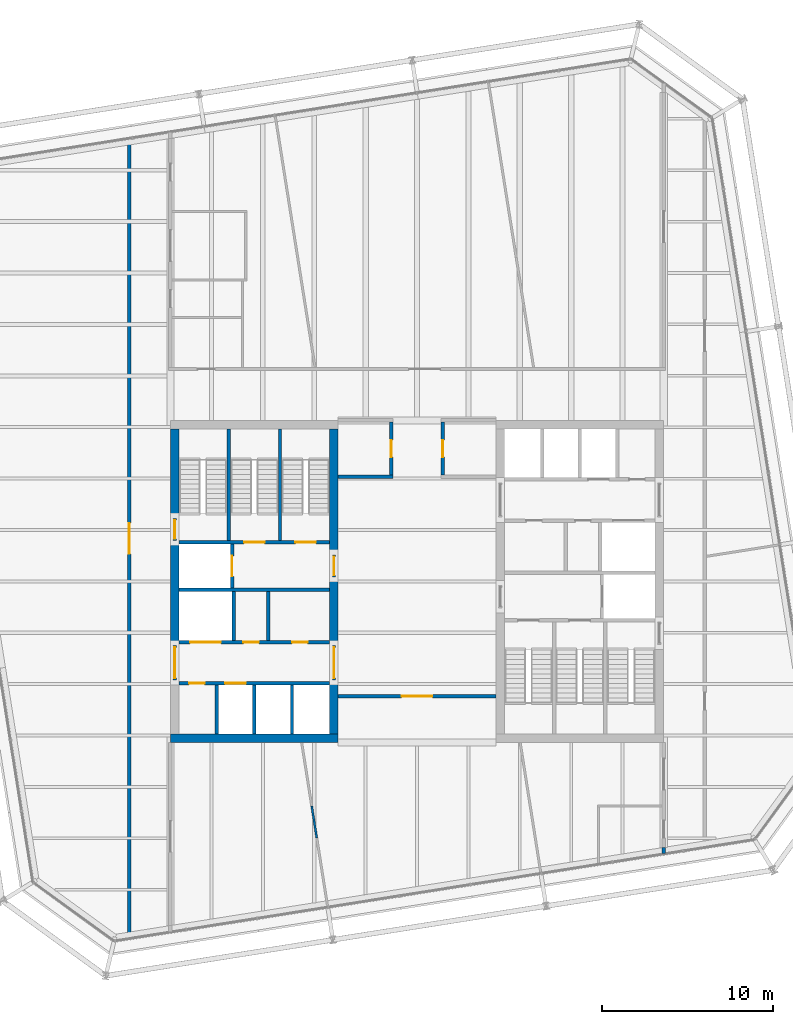
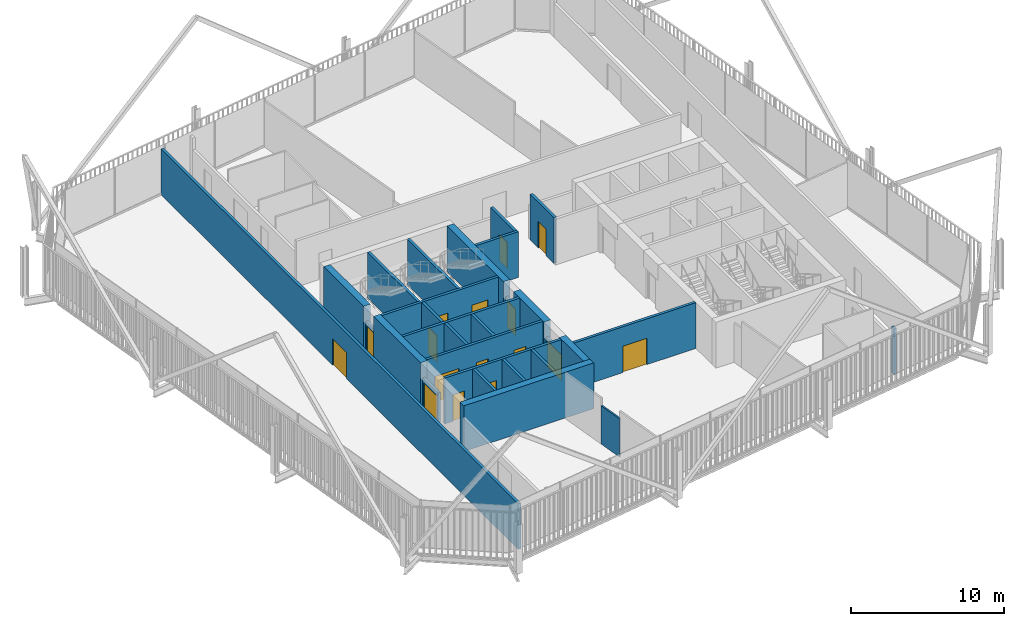
# One storey, part 17 of 21: 29 walls, 16 doors, 16 openings.
"""IFC4 building model written with IfcOpenShell, lengths in metres."""

from ifc_helpers import new_model, si_unit, direction, frame, frame_2d, origin, place, context, subcontext, project, spatial, rectangle, extrude, material, layer, layer_set, type_object, element, fill, save


model = new_model("IFC4")

# Units and contexts
model_context = context("Model", 3, precision=1e-05, world=origin(), true_north=direction((0.0, 1.0)))
body_context = subcontext(model_context, "Body", "Model", "MODEL_VIEW")
ifc_project = project(units=[si_unit("LENGTHUNIT", "METRE"), si_unit("AREAUNIT", "SQUARE_METRE"), si_unit("VOLUMEUNIT", "CUBIC_METRE"), si_unit("PLANEANGLEUNIT", "RADIAN"), si_unit("MASSUNIT", "GRAM", prefix="KILO")], contexts=[model_context])

# Site, building, storey
site_placement = place(None, origin())
site = spatial("IfcSite", under=ifc_project, at=site_placement, CompositionType="ELEMENT")
building_placement = place(site_placement, origin())
building = spatial("IfcBuilding", under=site, at=building_placement, Name="Millrace Tower", CompositionType="ELEMENT")
storey_placement = place(building_placement, frame((0.0, 0.0, 235.89990234375)))
storey = spatial("IfcBuildingStorey", under=building, at=storey_placement, Name="L54", CompositionType="ELEMENT", Elevation=235.89990234375)

# Walls
ifc_material_1 = material(Name="Concrete C60", Category="concrete")
ifc_layer_1 = layer(ifc_material_1, 0.5)
ifc_layer_set_1 = layer_set([ifc_layer_1], Name="Concrete C60")
wall_type_1 = type_object("IfcWallType", Name="Core wall 500 Concrete C60", PredefinedType="SHEAR", material=ifc_layer_set_1)
wall_1_placement = place(storey_placement, frame((-14.39990234375, -9.14990234375, 0.0), z_axis=(0.0, 0.0, 1.0), x_axis=(1.0, 0.0, 0.0)))
element("IfcWall", 1, at=wall_1_placement, inside=storey, type_object=wall_type_1, Name="Core wall W L54", PredefinedType="SHEAR", context=body_context, shape_type="SweptSolid", body=[
    extrude(rectangle(XDim=9.7998046875, YDim=0.5, at=frame_2d((4.89990234375, 0.0))), origin(), (0.0, 0.0, 1.0), 3.650146484375),
])
wall_2_placement = place(storey_placement, frame((-14.14990234375, -3.75, 0.0), z_axis=(0.0, 0.0, 1.0), x_axis=(0.0, 1.0, 0.0)))
element("IfcWall", 2, at=wall_2_placement, inside=storey, type_object=wall_type_1, Name="Core wall W L54", PredefinedType="SHEAR", context=body_context, shape_type="SweptSolid", body=[
    extrude(rectangle(XDim=6.1298828125, YDim=0.5, at=frame_2d((3.06494140625, 0.0))), origin(), (0.0, 0.0, 1.0), 3.650146484375),
])
wall_3_placement = place(storey_placement, frame((-14.14990234375, 3.679931640625, 0.0), z_axis=(0.0, 0.0, 1.0), x_axis=(0.0, 1.0, 0.0)))
element("IfcWall", 3, at=wall_3_placement, inside=storey, type_object=wall_type_1, Name="Core wall W L54", PredefinedType="SHEAR", context=body_context, shape_type="SweptSolid", body=[
    extrude(rectangle(XDim=5.219970703125, YDim=0.5, at=frame_2d((2.60986328125, 0.0))), origin(), (0.0, 0.0, 1.0), 3.650146484375),
])
wall_4_placement = place(storey_placement, frame((-4.85009765625, -8.89990234375, 0.0), z_axis=(0.0, 0.0, 1.0), x_axis=(0.0, 1.0, 0.0)))
element("IfcWall", 4, at=wall_4_placement, inside=storey, type_object=wall_type_1, Name="Core wall W L54", PredefinedType="SHEAR", context=body_context, shape_type="SweptSolid", body=[
    extrude(rectangle(XDim=3.14990234375, YDim=0.5, at=frame_2d((1.574951171875, 0.0))), origin(), (0.0, 0.0, 1.0), 3.650146484375),
])
wall_5_placement = place(storey_placement, frame((-4.85009765625, -3.75, 0.0), z_axis=(0.0, 0.0, 1.0), x_axis=(0.0, 1.0, 0.0)))
element("IfcWall", 5, at=wall_5_placement, inside=storey, type_object=wall_type_1, Name="Core wall W L54", PredefinedType="SHEAR", context=body_context, shape_type="SweptSolid", body=[
    extrude(rectangle(XDim=4.0, YDim=0.5, at=frame_2d((2.0, 0.0))), origin(), (0.0, 0.0, 1.0), 3.650146484375),
])
wall_6_placement = place(storey_placement, frame((-4.85009765625, 1.550048828125, 0.0), z_axis=(0.0, 0.0, 1.0), x_axis=(0.0, 1.0, 0.0)))
element("IfcWall", 6, at=wall_6_placement, inside=storey, type_object=wall_type_1, Name="Core wall W L54", PredefinedType="SHEAR", context=body_context, shape_type="SweptSolid", body=[
    extrude(rectangle(XDim=7.349853515625, YDim=0.5, at=frame_2d((3.6748046875, 0.0))), origin(), (0.0, 0.0, 1.0), 3.650146484375),
])

# Wall, opening, door
ifc_material_2 = material(Name="Masonry partition, fire-rated", Category="masonry")
ifc_layer_2 = layer(ifc_material_2, 0.199951171875)
ifc_layer_set_2 = layer_set([ifc_layer_2], Name="Masonry partition, fire-rated")
wall_type_2 = type_object("IfcWallType", Name="Corridor wall 200", PredefinedType="PARTITIONING", material=ifc_layer_set_2)
wall_7_placement = place(storey_placement, frame((-4.60009765625, -6.699951171875, 0.0), z_axis=(0.0, 0.0, 1.0), x_axis=(1.0, 0.0, 0.0)))
wall_7 = element("IfcWall", 7, at=wall_7_placement, inside=storey, type_object=wall_type_2, Name="Corridor wall L54", PredefinedType="PARTITIONING", context=body_context, shape_type="SweptSolid", body=[
    extrude(rectangle(XDim=9.2001953125, YDim=0.199951171875, at=frame_2d((4.60009765625, 0.0))), origin(), (0.0, 0.0, 1.0), 3.650146484375),
])
opening_1_placement = place(wall_7_placement, frame((3.699951171875, 0.0, 0.0)))
opening_1 = element("IfcOpeningElement", 8, at=opening_1_placement, cuts=wall_7, Name="Opening 54-P013", PredefinedType="OPENING", context=body_context, shape_type="SweptSolid", body=[
    extrude(rectangle(XDim=1.800048828125, YDim=2.10009765625, at=frame_2d((0.89990234375, 1.050048828125))), frame((0.0, 0.10986328125, 0.0), z_axis=(0.0, -1.0, 0.0), x_axis=(1.0, 0.0, 0.0)), (0.0, 0.0, 1.0), 0.219970703125),
])
ifc_material_3 = material(Name="Steel door set, fire-rated", Category="steel")
door_type_1 = type_object("IfcDoorType", Name="Corridor door 1800 x 2100", OperationType="DOUBLE_DOOR_SINGLE_SWING", PredefinedType="DOOR", material=ifc_material_3)
door_1_placement = place(opening_1_placement, frame((1.800048828125, 0.0, 0.0), z_axis=(0.0, 0.0, 1.0), x_axis=(-1.0, 0.0, 0.0)))
door_1 = element("IfcDoor", 9, at=door_1_placement, inside=storey, type_object=door_type_1, Name="Door 54-P013", OperationType="DOUBLE_DOOR_SINGLE_SWING", OverallHeight=2.10009765625, OverallWidth=1.800048828125, PredefinedType="DOOR", context=body_context, shape_type="SweptSolid", body=[
    extrude(rectangle(XDim=1.800048828125, YDim=2.10009765625, at=frame_2d((0.89990234375, 1.050048828125))), frame((0.0, 0.02490234375, 0.0), z_axis=(0.0, -1.0, 0.0), x_axis=(1.0, 0.0, 0.0)), (0.0, 0.0, 1.0), 0.050048828125),
])
fill(opening_1, door_1)

# Walls
wall_8_placement = place(storey_placement, frame((-4.60009765625, 6.10009765625, 0.0), z_axis=(0.0, 0.0, 1.0), x_axis=(1.0, 0.0, 0.0)))
element("IfcWall", 10, at=wall_8_placement, inside=storey, type_object=wall_type_2, Name="Corridor wall L54", PredefinedType="PARTITIONING", context=body_context, shape_type="SweptSolid", body=[
    extrude(rectangle(XDim=3.2001953125, YDim=0.199951171875, at=frame_2d((1.60009765625, 0.0))), origin(), (0.0, 0.0, 1.0), 3.650146484375),
])
wall_9_placement = place(storey_placement, frame((14.39990234375, -15.87451171875, 0.0), z_axis=(0.0, 0.0, 1.0), x_axis=(0.0, 1.0, 0.0)))
element("IfcWall", 11, at=wall_9_placement, inside=storey, type_object=wall_type_2, Name="Corridor wall L54", PredefinedType="PARTITIONING", context=body_context, shape_type="SweptSolid", body=[
    extrude(rectangle(XDim=0.349609375, YDim=0.199951171875, at=frame_2d((0.1748046875, 0.0))), origin(), (0.0, 0.0, 1.0), 3.650146484375),
])

# Wall, opening, door
wall_10_placement = place(storey_placement, frame((1.5, 6.199951171875, 0.0), z_axis=(0.0, 0.0, 1.0), x_axis=(0.0, 1.0, 0.0)))
wall_10 = element("IfcWall", 12, at=wall_10_placement, inside=storey, type_object=wall_type_2, Name="Corridor wall L54", PredefinedType="PARTITIONING", context=body_context, shape_type="SweptSolid", body=[
    extrude(rectangle(XDim=3.10009765625, YDim=0.199951171875, at=frame_2d((1.550048828125, 0.0))), origin(), (0.0, 0.0, 1.0), 3.650146484375),
])
opening_2_placement = place(wall_10_placement, frame((1.050048828125, 0.0, 0.0)))
opening_2 = element("IfcOpeningElement", 13, at=opening_2_placement, cuts=wall_10, Name="Opening 54-P002", PredefinedType="OPENING", context=body_context, shape_type="SweptSolid", body=[
    extrude(rectangle(XDim=1.0, YDim=2.10009765625, at=frame_2d((0.5, 1.050048828125))), frame((0.0, 0.10986328125, 0.0), z_axis=(0.0, -1.0, 0.0), x_axis=(1.0, 0.0, 0.0)), (0.0, 0.0, 1.0), 0.219970703125),
])
ifc_material_4 = material(Name="Steel door set, fire-rated", Category="steel")
door_type_2 = type_object("IfcDoorType", Name="Corridor door 1000 x 2100", OperationType="SINGLE_SWING_LEFT", PredefinedType="DOOR", material=ifc_material_4)
door_2_placement = place(opening_2_placement, frame((1.0, 0.0, 0.0), z_axis=(0.0, 0.0, 1.0), x_axis=(-1.0, 0.0, 0.0)))
door_2 = element("IfcDoor", 14, at=door_2_placement, inside=storey, type_object=door_type_2, Name="Door 54-P002", OperationType="SINGLE_SWING_RIGHT", OverallHeight=2.10009765625, OverallWidth=1.0, PredefinedType="DOOR", context=body_context, shape_type="SweptSolid", body=[
    extrude(rectangle(XDim=1.0, YDim=2.10009765625, at=frame_2d((0.5, 1.050048828125))), frame((0.0, 0.02490234375, 0.0), z_axis=(0.0, -1.0, 0.0), x_axis=(1.0, 0.0, 0.0)), (0.0, 0.0, 1.0), 0.050048828125),
])
fill(opening_2, door_2)

wall_11_placement = place(storey_placement, frame((-1.5, 6.199951171875, 0.0), z_axis=(0.0, 0.0, 1.0), x_axis=(0.0, 1.0, 0.0)))
wall_11 = element("IfcWall", 15, at=wall_11_placement, inside=storey, type_object=wall_type_2, Name="Corridor wall L54", PredefinedType="PARTITIONING", context=body_context, shape_type="SweptSolid", body=[
    extrude(rectangle(XDim=3.10009765625, YDim=0.199951171875, at=frame_2d((1.550048828125, 0.0))), origin(), (0.0, 0.0, 1.0), 3.650146484375),
])
opening_3_placement = place(wall_11_placement, frame((1.050048828125, 0.0, 0.0)))
opening_3 = element("IfcOpeningElement", 16, at=opening_3_placement, cuts=wall_11, Name="Opening 54-P001", PredefinedType="OPENING", context=body_context, shape_type="SweptSolid", body=[
    extrude(rectangle(XDim=1.0, YDim=2.10009765625, at=frame_2d((0.5, 1.050048828125))), frame((0.0, 0.10986328125, 0.0), z_axis=(0.0, -1.0, 0.0), x_axis=(1.0, 0.0, 0.0)), (0.0, 0.0, 1.0), 0.219970703125),
])
door_3_placement = place(opening_3_placement, origin())
door_3 = element("IfcDoor", 17, at=door_3_placement, inside=storey, type_object=door_type_2, Name="Door 54-P001", OperationType="SINGLE_SWING_LEFT", OverallHeight=2.10009765625, OverallWidth=1.0, PredefinedType="DOOR", context=body_context, shape_type="SweptSolid", body=[
    extrude(rectangle(XDim=1.0, YDim=2.10009765625, at=frame_2d((0.5, 1.050048828125))), frame((0.0, 0.02490234375, 0.0), z_axis=(0.0, -1.0, 0.0), x_axis=(1.0, 0.0, 0.0)), (0.0, 0.0, 1.0), 0.050048828125),
])
fill(opening_3, door_3)

wall_12_placement = place(storey_placement, frame((-16.800048828125, -20.816162109375, 0.0), z_axis=(0.0, 0.0, 1.0), x_axis=(0.0, 1.0, 0.0)))
wall_12 = element("IfcWall", 18, at=wall_12_placement, inside=storey, type_object=wall_type_2, Name="Corridor wall L54", PredefinedType="PARTITIONING", context=body_context, shape_type="SweptSolid", body=[
    extrude(rectangle(XDim=46.63427734375, YDim=0.199951171875, at=frame_2d((23.317138671875, 0.0))), origin(), (0.0, 0.0, 1.0), 3.650146484375),
])
opening_4_placement = place(wall_12_placement, frame((22.416748046875, 0.0, 0.0)))
opening_4 = element("IfcOpeningElement", 19, at=opening_4_placement, cuts=wall_12, Name="Opening 54-P003", PredefinedType="OPENING", context=body_context, shape_type="SweptSolid", body=[
    extrude(rectangle(XDim=1.800048828125, YDim=2.10009765625, at=frame_2d((0.89990234375, 1.050048828125))), frame((0.0, 0.10986328125, 0.0), z_axis=(0.0, -1.0, 0.0), x_axis=(1.0, 0.0, 0.0)), (0.0, 0.0, 1.0), 0.219970703125),
])
door_4_placement = place(opening_4_placement, frame((1.800048828125, 0.0, 0.0), z_axis=(0.0, 0.0, 1.0), x_axis=(-1.0, 0.0, 0.0)))
door_4 = element("IfcDoor", 20, at=door_4_placement, inside=storey, type_object=door_type_1, Name="Door 54-P003", OperationType="DOUBLE_DOOR_SINGLE_SWING", OverallHeight=2.10009765625, OverallWidth=1.800048828125, PredefinedType="DOOR", context=body_context, shape_type="SweptSolid", body=[
    extrude(rectangle(XDim=1.800048828125, YDim=2.10009765625, at=frame_2d((0.89990234375, 1.050048828125))), frame((0.0, 0.02490234375, 0.0), z_axis=(0.0, -1.0, 0.0), x_axis=(1.0, 0.0, 0.0)), (0.0, 0.0, 1.0), 0.050048828125),
])
fill(opening_4, door_4)

# Wall, openings, doors
ifc_material_5 = material(Name="Masonry partition, fire-rated", Category="masonry")
ifc_layer_3 = layer(ifc_material_5, 0.199951171875)
ifc_layer_set_3 = layer_set([ifc_layer_3], Name="Masonry partition, fire-rated")
wall_type_3 = type_object("IfcWallType", Name="Lift shaft wall 200", PredefinedType="PARTITIONING", material=ifc_layer_set_3)
wall_13_placement = place(storey_placement, frame((-13.89990234375, -5.949951171875, 0.0), z_axis=(0.0, 0.0, 1.0), x_axis=(1.0, 0.0, 0.0)))
wall_13 = element("IfcWall", 21, at=wall_13_placement, inside=storey, type_object=wall_type_3, Name="Lift shaft wall W L54", PredefinedType="PARTITIONING", context=body_context, shape_type="SweptSolid", body=[
    extrude(rectangle(XDim=8.7998046875, YDim=0.199951171875, at=frame_2d((4.39990234375, 0.0))), origin(), (0.0, 0.0, 1.0), 3.650146484375),
])
opening_5_placement = place(wall_13_placement, frame((2.699951171875, 0.0, 0.0)))
opening_5 = element("IfcOpeningElement", 22, at=opening_5_placement, cuts=wall_13, Name="Opening 54-LD02", PredefinedType="OPENING", context=body_context, shape_type="SweptSolid", body=[
    extrude(rectangle(XDim=1.199951171875, YDim=2.10009765625, at=frame_2d((0.60009765625, 1.050048828125))), frame((0.0, 0.10986328125, 0.0), z_axis=(0.0, -1.0, 0.0), x_axis=(1.0, 0.0, 0.0)), (0.0, 0.0, 1.0), 0.219970703125),
])
opening_6_placement = place(wall_13_placement, frame((0.60009765625, 0.0, 0.0)))
opening_6 = element("IfcOpeningElement", 23, at=opening_6_placement, cuts=wall_13, Name="Opening 54-C005", PredefinedType="OPENING", context=body_context, shape_type="SweptSolid", body=[
    extrude(rectangle(XDim=0.89990234375, YDim=2.10009765625, at=frame_2d((0.449951171875, 1.050048828125))), frame((0.0, 0.10986328125, 0.0), z_axis=(0.0, -1.0, 0.0), x_axis=(1.0, 0.0, 0.0)), (0.0, 0.0, 1.0), 0.219970703125),
])
ifc_material_6 = material(Name="Stainless steel, fire-rated", Category="steel")
door_type_3 = type_object("IfcDoorType", Name="Lift landing door 1200 x 2100", OperationType="DOUBLE_DOOR_SLIDING", PredefinedType="DOOR", material=ifc_material_6)
door_5_placement = place(opening_5_placement, origin())
door_5 = element("IfcDoor", 24, at=door_5_placement, inside=storey, type_object=door_type_3, Name="Lift landing door LF2 L54", OperationType="DOUBLE_DOOR_SLIDING", OverallHeight=2.10009765625, OverallWidth=1.199951171875, PredefinedType="DOOR", context=body_context, shape_type="SweptSolid", body=[
    extrude(rectangle(XDim=1.199951171875, YDim=2.10009765625, at=frame_2d((0.60009765625, 1.050048828125))), frame((0.0, 0.02490234375, 0.0), z_axis=(0.0, -1.0, 0.0), x_axis=(1.0, 0.0, 0.0)), (0.0, 0.0, 1.0), 0.050048828125),
])
fill(opening_5, door_5)
ifc_material_7 = material(Name="Steel door, fire-rated", Category="steel")
door_type_4 = type_object("IfcDoorType", Name="Service room door 900 x 2100", OperationType="SINGLE_SWING_LEFT", PredefinedType="DOOR", material=ifc_material_7)
door_6_placement = place(opening_6_placement, frame((0.89990234375, 0.0, 0.0), z_axis=(0.0, 0.0, 1.0), x_axis=(-1.0, 0.0, 0.0)))
door_6 = element("IfcDoor", 25, at=door_6_placement, inside=storey, type_object=door_type_4, Name="Service room door 54-C005", OperationType="SINGLE_SWING_RIGHT", OverallHeight=2.10009765625, OverallWidth=0.89990234375, PredefinedType="DOOR", context=body_context, shape_type="SweptSolid", body=[
    extrude(rectangle(XDim=0.89990234375, YDim=2.10009765625, at=frame_2d((0.449951171875, 1.050048828125))), frame((0.0, 0.02490234375, 0.0), z_axis=(0.0, -1.0, 0.0), x_axis=(1.0, 0.0, 0.0)), (0.0, 0.0, 1.0), 0.050048828125),
])
fill(opening_6, door_6)

wall_14_placement = place(storey_placement, frame((-13.89990234375, -3.550048828125, 0.0), z_axis=(0.0, 0.0, 1.0), x_axis=(1.0, 0.0, 0.0)))
wall_14 = element("IfcWall", 26, at=wall_14_placement, inside=storey, type_object=wall_type_3, Name="Lift shaft wall W L54", PredefinedType="PARTITIONING", context=body_context, shape_type="SweptSolid", body=[
    extrude(rectangle(XDim=8.7998046875, YDim=0.199951171875, at=frame_2d((4.39990234375, 0.0))), origin(), (0.0, 0.0, 1.0), 3.650146484375),
])
opening_7_placement = place(wall_14_placement, frame((0.64990234375, 0.0, 0.0)))
opening_7 = element("IfcOpeningElement", 27, at=opening_7_placement, cuts=wall_14, Name="Opening 54-LD05", PredefinedType="OPENING", context=body_context, shape_type="SweptSolid", body=[
    extrude(rectangle(XDim=1.800048828125, YDim=2.10009765625, at=frame_2d((0.89990234375, 1.050048828125))), frame((0.0, 0.10986328125, 0.0), z_axis=(0.0, -1.0, 0.0), x_axis=(1.0, 0.0, 0.0)), (0.0, 0.0, 1.0), 0.219970703125),
])
opening_8_placement = place(wall_14_placement, frame((3.762451171875, 0.0, 0.0)))
opening_8 = element("IfcOpeningElement", 28, at=opening_8_placement, cuts=wall_14, Name="Opening 54-C006", PredefinedType="OPENING", context=body_context, shape_type="SweptSolid", body=[
    extrude(rectangle(XDim=0.89990234375, YDim=2.10009765625, at=frame_2d((0.449951171875, 1.050048828125))), frame((0.0, 0.10986328125, 0.0), z_axis=(0.0, -1.0, 0.0), x_axis=(1.0, 0.0, 0.0)), (0.0, 0.0, 1.0), 0.219970703125),
])
opening_9_placement = place(wall_14_placement, frame((6.612548828125, 0.0, 0.0)))
opening_9 = element("IfcOpeningElement", 29, at=opening_9_placement, cuts=wall_14, Name="Opening 54-C007", PredefinedType="OPENING", context=body_context, shape_type="SweptSolid", body=[
    extrude(rectangle(XDim=0.89990234375, YDim=2.10009765625, at=frame_2d((0.449951171875, 1.050048828125))), frame((0.0, 0.10986328125, 0.0), z_axis=(0.0, -1.0, 0.0), x_axis=(1.0, 0.0, 0.0)), (0.0, 0.0, 1.0), 0.219970703125),
])
ifc_material_8 = material(Name="Stainless steel, fire-rated", Category="steel")
door_type_5 = type_object("IfcDoorType", Name="Lift landing door 1800 x 2100", OperationType="DOUBLE_DOOR_SLIDING", PredefinedType="DOOR", material=ifc_material_8)
door_7_placement = place(opening_7_placement, origin())
door_7 = element("IfcDoor", 30, at=door_7_placement, inside=storey, type_object=door_type_5, Name="Lift landing door LF5 L54", OperationType="DOUBLE_DOOR_SLIDING", OverallHeight=2.10009765625, OverallWidth=1.800048828125, PredefinedType="DOOR", context=body_context, shape_type="SweptSolid", body=[
    extrude(rectangle(XDim=1.800048828125, YDim=2.10009765625, at=frame_2d((0.89990234375, 1.050048828125))), frame((0.0, 0.02490234375, 0.0), z_axis=(0.0, -1.0, 0.0), x_axis=(1.0, 0.0, 0.0)), (0.0, 0.0, 1.0), 0.050048828125),
])
fill(opening_7, door_7)
door_8_placement = place(opening_8_placement, origin())
door_8 = element("IfcDoor", 31, at=door_8_placement, inside=storey, type_object=door_type_4, Name="Service room door 54-C006", OperationType="SINGLE_SWING_LEFT", OverallHeight=2.10009765625, OverallWidth=0.89990234375, PredefinedType="DOOR", context=body_context, shape_type="SweptSolid", body=[
    extrude(rectangle(XDim=0.89990234375, YDim=2.10009765625, at=frame_2d((0.449951171875, 1.050048828125))), frame((0.0, 0.02490234375, 0.0), z_axis=(0.0, -1.0, 0.0), x_axis=(1.0, 0.0, 0.0)), (0.0, 0.0, 1.0), 0.050048828125),
])
fill(opening_8, door_8)
door_9_placement = place(opening_9_placement, origin())
door_9 = element("IfcDoor", 32, at=door_9_placement, inside=storey, type_object=door_type_4, Name="Service room door 54-C007", OperationType="SINGLE_SWING_RIGHT", OverallHeight=2.10009765625, OverallWidth=0.89990234375, PredefinedType="DOOR", context=body_context, shape_type="SweptSolid", body=[
    extrude(rectangle(XDim=0.89990234375, YDim=2.10009765625, at=frame_2d((0.449951171875, 1.050048828125))), frame((0.0, 0.02490234375, 0.0), z_axis=(0.0, -1.0, 0.0), x_axis=(1.0, 0.0, 0.0)), (0.0, 0.0, 1.0), 0.050048828125),
])
fill(opening_9, door_9)

# Wall
wall_15_placement = place(storey_placement, frame((-13.89990234375, -0.5, 0.0), z_axis=(0.0, 0.0, 1.0), x_axis=(1.0, 0.0, 0.0)))
element("IfcWall", 33, at=wall_15_placement, inside=storey, type_object=wall_type_3, Name="Lift shaft wall W L54", PredefinedType="PARTITIONING", context=body_context, shape_type="SweptSolid", body=[
    extrude(rectangle(XDim=8.7998046875, YDim=0.199951171875, at=frame_2d((4.39990234375, 0.0))), origin(), (0.0, 0.0, 1.0), 3.650146484375),
])

# Wall, opening, door
wall_16_placement = place(storey_placement, frame((-10.800048828125, -0.39990234375, 0.0), z_axis=(0.0, 0.0, 1.0), x_axis=(0.0, 1.0, 0.0)))
wall_16 = element("IfcWall", 34, at=wall_16_placement, inside=storey, type_object=wall_type_3, Name="Lift shaft wall W L54", PredefinedType="PARTITIONING", context=body_context, shape_type="SweptSolid", body=[
    extrude(rectangle(XDim=2.579833984375, YDim=0.199951171875, at=frame_2d((1.2900390625, 0.0))), origin(), (0.0, 0.0, 1.0), 3.650146484375),
])
opening_10_placement = place(wall_16_placement, frame((0.68994140625, 0.0, 0.0)))
opening_10 = element("IfcOpeningElement", 35, at=opening_10_placement, cuts=wall_16, Name="Opening 54-LD08", PredefinedType="OPENING", context=body_context, shape_type="SweptSolid", body=[
    extrude(rectangle(XDim=1.199951171875, YDim=2.10009765625, at=frame_2d((0.60009765625, 1.050048828125))), frame((0.0, 0.10986328125, 0.0), z_axis=(0.0, -1.0, 0.0), x_axis=(1.0, 0.0, 0.0)), (0.0, 0.0, 1.0), 0.219970703125),
])
door_10_placement = place(opening_10_placement, origin())
door_10 = element("IfcDoor", 36, at=door_10_placement, inside=storey, type_object=door_type_3, Name="Lift landing door LF8 L54", OperationType="DOUBLE_DOOR_SLIDING", OverallHeight=2.10009765625, OverallWidth=1.199951171875, PredefinedType="DOOR", context=body_context, shape_type="SweptSolid", body=[
    extrude(rectangle(XDim=1.199951171875, YDim=2.10009765625, at=frame_2d((0.60009765625, 1.050048828125))), frame((0.0, 0.02490234375, 0.0), z_axis=(0.0, -1.0, 0.0), x_axis=(1.0, 0.0, 0.0)), (0.0, 0.0, 1.0), 0.050048828125),
])
fill(opening_10, door_10)

# Walls
for number, where, z_axis, x_axis, name in (
    (37, (-11.699951171875, -8.89990234375, 0.0), (0.0, 0.0, 1.0), (0.0, 1.0, 0.0), "Lift shaft wall W L54"),
    (38, (-9.5, -8.89990234375, 0.0), (0.0, 0.0, 1.0), (0.0, 1.0, 0.0), "Lift shaft wall W L54"),
    (39, (-7.300048828125, -8.89990234375, 0.0), (0.0, 0.0, 1.0), (0.0, 1.0, 0.0), "Lift shaft wall W L54"),
    (40, (-10.699951171875, -3.449951171875, 0.0), (0.0, 0.0, 1.0), (0.0, 1.0, 0.0), "Lift shaft wall W L54"),
):
    element("IfcWall", number, at=place(storey_placement, frame(where, z_axis=z_axis, x_axis=x_axis)), inside=storey, type_object=wall_type_3, Name=name, PredefinedType="PARTITIONING", context=body_context, shape_type="SweptSolid", body=[
        extrude(rectangle(XDim=2.849853515625, YDim=0.199951171875, at=frame_2d((1.4248046875, 0.0))), origin(), (0.0, 0.0, 1.0), 3.650146484375),
    ])

# Wall, opening, door
ifc_material_9 = material(Name="Masonry partition, fire-rated", Category="masonry")
ifc_layer_4 = layer(ifc_material_9, 0.199951171875)
ifc_layer_set_4 = layer_set([ifc_layer_4], Name="Masonry partition, fire-rated")
wall_type_4 = type_object("IfcWallType", Name="Lobby wall 200", PredefinedType="PARTITIONING", material=ifc_layer_set_4)
wall_17_placement = place(storey_placement, frame((-14.14990234375, -5.75, 0.0), z_axis=(0.0, 0.0, 1.0), x_axis=(0.0, 1.0, 0.0)))
wall_17 = element("IfcWall", 41, at=wall_17_placement, inside=storey, type_object=wall_type_4, Name="Lobby wall W L54", PredefinedType="PARTITIONING", context=body_context, shape_type="SweptSolid", body=[
    extrude(rectangle(XDim=2.0, YDim=0.199951171875, at=frame_2d((1.0, 0.0))), origin(), (0.0, 0.0, 1.0), 2.400146484375),
])
opening_11_placement = place(wall_17_placement, frame((0.10009765625, 0.0, 0.0)))
opening_11 = element("IfcOpeningElement", 42, at=opening_11_placement, cuts=wall_17, Name="Opening 54-C001", PredefinedType="OPENING", context=body_context, shape_type="SweptSolid", body=[
    extrude(rectangle(XDim=1.800048828125, YDim=2.10009765625, at=frame_2d((0.89990234375, 1.050048828125))), frame((0.0, 0.10986328125, 0.0), z_axis=(0.0, -1.0, 0.0), x_axis=(1.0, 0.0, 0.0)), (0.0, 0.0, 1.0), 0.219970703125),
])
ifc_material_10 = material(Name="Steel door, fire-rated", Category="steel")
door_type_6 = type_object("IfcDoorType", Name="Lobby door 1800 x 2100", OperationType="DOUBLE_DOOR_SINGLE_SWING", PredefinedType="DOOR", material=ifc_material_10)
door_11_placement = place(opening_11_placement, origin())
door_11 = element("IfcDoor", 43, at=door_11_placement, inside=storey, type_object=door_type_6, Name="Lobby door 54-C001", OperationType="DOUBLE_DOOR_SINGLE_SWING", OverallHeight=2.10009765625, OverallWidth=1.800048828125, PredefinedType="DOOR", context=body_context, shape_type="SweptSolid", body=[
    extrude(rectangle(XDim=1.800048828125, YDim=2.10009765625, at=frame_2d((0.89990234375, 1.050048828125))), frame((0.0, 0.02490234375, 0.0), z_axis=(0.0, -1.0, 0.0), x_axis=(1.0, 0.0, 0.0)), (0.0, 0.0, 1.0), 0.050048828125),
])
fill(opening_11, door_11)

wall_18_placement = place(storey_placement, frame((-4.85009765625, -5.75, 0.0), z_axis=(0.0, 0.0, 1.0), x_axis=(0.0, 1.0, 0.0)))
wall_18 = element("IfcWall", 44, at=wall_18_placement, inside=storey, type_object=wall_type_4, Name="Lobby wall W L54", PredefinedType="PARTITIONING", context=body_context, shape_type="SweptSolid", body=[
    extrude(rectangle(XDim=2.0, YDim=0.199951171875, at=frame_2d((1.0, 0.0))), origin(), (0.0, 0.0, 1.0), 2.400146484375),
])
opening_12_placement = place(wall_18_placement, frame((0.10009765625, 0.0, 0.0)))
opening_12 = element("IfcOpeningElement", 45, at=opening_12_placement, cuts=wall_18, Name="Opening 54-C003", PredefinedType="OPENING", context=body_context, shape_type="SweptSolid", body=[
    extrude(rectangle(XDim=1.800048828125, YDim=2.10009765625, at=frame_2d((0.89990234375, 1.050048828125))), frame((0.0, 0.10986328125, 0.0), z_axis=(0.0, -1.0, 0.0), x_axis=(1.0, 0.0, 0.0)), (0.0, 0.0, 1.0), 0.219970703125),
])
door_12_placement = place(opening_12_placement, frame((1.800048828125, 0.0, 0.0), z_axis=(0.0, 0.0, 1.0), x_axis=(-1.0, 0.0, 0.0)))
door_12 = element("IfcDoor", 46, at=door_12_placement, inside=storey, type_object=door_type_6, Name="Lobby door 54-C003", OperationType="DOUBLE_DOOR_SINGLE_SWING", OverallHeight=2.10009765625, OverallWidth=1.800048828125, PredefinedType="DOOR", context=body_context, shape_type="SweptSolid", body=[
    extrude(rectangle(XDim=1.800048828125, YDim=2.10009765625, at=frame_2d((0.89990234375, 1.050048828125))), frame((0.0, 0.02490234375, 0.0), z_axis=(0.0, -1.0, 0.0), x_axis=(1.0, 0.0, 0.0)), (0.0, 0.0, 1.0), 0.050048828125),
])
fill(opening_12, door_12)

wall_19_placement = place(storey_placement, frame((-4.85009765625, 0.25, 0.0), z_axis=(0.0, 0.0, 1.0), x_axis=(0.0, 1.0, 0.0)))
wall_19 = element("IfcWall", 47, at=wall_19_placement, inside=storey, type_object=wall_type_4, Name="Lobby wall W L54", PredefinedType="PARTITIONING", context=body_context, shape_type="SweptSolid", body=[
    extrude(rectangle(XDim=1.300048828125, YDim=0.199951171875, at=frame_2d((0.64990234375, 0.0))), origin(), (0.0, 0.0, 1.0), 2.400146484375),
])
opening_13_placement = place(wall_19_placement, frame((0.10009765625, 0.0, 0.0)))
opening_13 = element("IfcOpeningElement", 48, at=opening_13_placement, cuts=wall_19, Name="Opening 54-C004", PredefinedType="OPENING", context=body_context, shape_type="SweptSolid", body=[
    extrude(rectangle(XDim=1.10009765625, YDim=2.10009765625, at=frame_2d((0.550048828125, 1.050048828125))), frame((0.0, 0.10986328125, 0.0), z_axis=(0.0, -1.0, 0.0), x_axis=(1.0, 0.0, 0.0)), (0.0, 0.0, 1.0), 0.219970703125),
])
ifc_material_11 = material(Name="Steel door, fire-rated", Category="steel")
door_type_7 = type_object("IfcDoorType", Name="Lobby door 1100 x 2100", OperationType="SINGLE_SWING_LEFT", PredefinedType="DOOR", material=ifc_material_11)
door_13_placement = place(opening_13_placement, frame((1.10009765625, 0.0, 0.0), z_axis=(0.0, 0.0, 1.0), x_axis=(-1.0, 0.0, 0.0)))
door_13 = element("IfcDoor", 49, at=door_13_placement, inside=storey, type_object=door_type_7, Name="Lobby door 54-C004", OperationType="SINGLE_SWING_LEFT", OverallHeight=2.10009765625, OverallWidth=1.10009765625, PredefinedType="DOOR", context=body_context, shape_type="SweptSolid", body=[
    extrude(rectangle(XDim=1.10009765625, YDim=2.10009765625, at=frame_2d((0.550048828125, 1.050048828125))), frame((0.0, 0.02490234375, 0.0), z_axis=(0.0, -1.0, 0.0), x_axis=(1.0, 0.0, 0.0)), (0.0, 0.0, 1.0), 0.050048828125),
])
fill(opening_13, door_13)

# Walls
ifc_material_12 = material(Name="Gypsum board partition")
ifc_layer_5 = layer(ifc_material_12, 0.1201171875)
ifc_layer_set_5 = layer_set([ifc_layer_5], Name="Gypsum board partition")
wall_type_5 = type_object("IfcWallType", Name="Partition wall 120", PredefinedType="PARTITIONING", material=ifc_layer_set_5)
wall_20_placement = place(storey_placement, frame((-6.148193359375, -13.119140625, 0.0), z_axis=(0.0, 0.0, 1.0), x_axis=(0.1562533807, -0.987717004521, 0.0)))
element("IfcWall", 50, at=wall_20_placement, inside=storey, type_object=wall_type_5, Name="Partition wall L54", PredefinedType="PARTITIONING", context=body_context, shape_type="SweptSolid", body=[
    extrude(rectangle(XDim=1.896728515625, YDim=0.1201171875, at=frame_2d((0.9482421875, 0.0))), origin(), (0.0, 0.0, 1.0), 3.05078125),
])
ifc_material_13 = material(Name="Masonry partition, fire-rated", Category="masonry")
ifc_layer_6 = layer(ifc_material_13, 0.199951171875)
ifc_layer_set_6 = layer_set([ifc_layer_6], Name="Masonry partition, fire-rated")
wall_type_6 = type_object("IfcWallType", Name="Room partition 200", PredefinedType="PARTITIONING", material=ifc_layer_set_6)
wall_21_placement = place(storey_placement, frame((-8.675048828125, -3.449951171875, 0.0), z_axis=(0.0, 0.0, 1.0), x_axis=(0.0, 1.0, 0.0)))
element("IfcWall", 51, at=wall_21_placement, inside=storey, type_object=wall_type_6, Name="Room partition W L54", PredefinedType="PARTITIONING", context=body_context, shape_type="SweptSolid", body=[
    extrude(rectangle(XDim=2.849853515625, YDim=0.199951171875, at=frame_2d((1.4248046875, 0.0))), origin(), (0.0, 0.0, 1.0), 3.650146484375),
])

# Wall, opening, door
ifc_material_14 = material(Name="Concrete C40", Category="concrete")
ifc_layer_7 = layer(ifc_material_14, 0.199951171875)
ifc_layer_set_7 = layer_set([ifc_layer_7], Name="Concrete C40")
wall_type_7 = type_object("IfcWallType", Name="Stair enclosure wall 200 Concrete C40", PredefinedType="SHEAR", material=ifc_layer_set_7)
wall_22_placement = place(storey_placement, frame((-14.14990234375, 2.3798828125, 0.0), z_axis=(0.0, 0.0, 1.0), x_axis=(0.0, 1.0, 0.0)))
wall_22 = element("IfcWall", 52, at=wall_22_placement, inside=storey, type_object=wall_type_7, Name="Stair enclosure wall W L54", PredefinedType="SHEAR", context=body_context, shape_type="SweptSolid", body=[
    extrude(rectangle(XDim=1.300048828125, YDim=0.199951171875, at=frame_2d((0.64990234375, 0.0))), origin(), (0.0, 0.0, 1.0), 2.400146484375),
])
opening_14_placement = place(wall_22_placement, frame((0.10009765625, 0.0, 0.0)))
opening_14 = element("IfcOpeningElement", 53, at=opening_14_placement, cuts=wall_22, Name="Opening 54-C002", PredefinedType="OPENING", context=body_context, shape_type="SweptSolid", body=[
    extrude(rectangle(XDim=1.10009765625, YDim=2.10009765625, at=frame_2d((0.550048828125, 1.050048828125))), frame((0.0, 0.10986328125, 0.0), z_axis=(0.0, -1.0, 0.0), x_axis=(1.0, 0.0, 0.0)), (0.0, 0.0, 1.0), 0.219970703125),
])
ifc_material_15 = material(Name="Steel door, fire-rated", Category="steel")
door_type_8 = type_object("IfcDoorType", Name="Stair door 1100 x 2100", OperationType="SINGLE_SWING_LEFT", PredefinedType="DOOR", material=ifc_material_15)
door_14_placement = place(opening_14_placement, origin())
door_14 = element("IfcDoor", 54, at=door_14_placement, inside=storey, type_object=door_type_8, Name="Stair door 54-C002", OperationType="SINGLE_SWING_RIGHT", OverallHeight=2.10009765625, OverallWidth=1.10009765625, PredefinedType="DOOR", context=body_context, shape_type="SweptSolid", body=[
    extrude(rectangle(XDim=1.10009765625, YDim=2.10009765625, at=frame_2d((0.550048828125, 1.050048828125))), frame((0.0, 0.02490234375, 0.0), z_axis=(0.0, -1.0, 0.0), x_axis=(1.0, 0.0, 0.0)), (0.0, 0.0, 1.0), 0.050048828125),
])
fill(opening_14, door_14)

# Wall, openings, doors
wall_23_placement = place(storey_placement, frame((-13.89990234375, 2.280029296875, 0.0), z_axis=(0.0, 0.0, 1.0), x_axis=(1.0, 0.0, 0.0)))
wall_23 = element("IfcWall", 55, at=wall_23_placement, inside=storey, type_object=wall_type_7, Name="Stair enclosure wall W L54", PredefinedType="SHEAR", context=body_context, shape_type="SweptSolid", body=[
    extrude(rectangle(XDim=8.7998046875, YDim=0.199951171875, at=frame_2d((4.39990234375, 0.0))), origin(), (0.0, 0.0, 1.0), 3.650146484375),
])
opening_15_placement = place(wall_23_placement, frame((3.800048828125, 0.0, 0.0)))
opening_15 = element("IfcOpeningElement", 56, at=opening_15_placement, cuts=wall_23, Name="Opening 54-C008", PredefinedType="OPENING", context=body_context, shape_type="SweptSolid", body=[
    extrude(rectangle(XDim=1.199951171875, YDim=2.10009765625, at=frame_2d((0.60009765625, 1.050048828125))), frame((0.0, 0.10986328125, 0.0), z_axis=(0.0, -1.0, 0.0), x_axis=(1.0, 0.0, 0.0)), (0.0, 0.0, 1.0), 0.219970703125),
])
opening_16_placement = place(wall_23_placement, frame((6.800048828125, 0.0, 0.0)))
opening_16 = element("IfcOpeningElement", 57, at=opening_16_placement, cuts=wall_23, Name="Opening 54-C009", PredefinedType="OPENING", context=body_context, shape_type="SweptSolid", body=[
    extrude(rectangle(XDim=1.199951171875, YDim=2.10009765625, at=frame_2d((0.60009765625, 1.050048828125))), frame((0.0, 0.10986328125, 0.0), z_axis=(0.0, -1.0, 0.0), x_axis=(1.0, 0.0, 0.0)), (0.0, 0.0, 1.0), 0.219970703125),
])
ifc_material_16 = material(Name="Steel door, fire-rated", Category="steel")
door_type_9 = type_object("IfcDoorType", Name="Stair door 1200 x 2100", OperationType="SINGLE_SWING_LEFT", PredefinedType="DOOR", material=ifc_material_16)
door_15_placement = place(opening_15_placement, frame((1.199951171875, 0.0, 0.0), z_axis=(0.0, 0.0, 1.0), x_axis=(-1.0, 0.0, 0.0)))
door_15 = element("IfcDoor", 58, at=door_15_placement, inside=storey, type_object=door_type_9, Name="Stair door 54-C008", OperationType="SINGLE_SWING_LEFT", OverallHeight=2.10009765625, OverallWidth=1.199951171875, PredefinedType="DOOR", context=body_context, shape_type="SweptSolid", body=[
    extrude(rectangle(XDim=1.199951171875, YDim=2.10009765625, at=frame_2d((0.60009765625, 1.050048828125))), frame((0.0, 0.02490234375, 0.0), z_axis=(0.0, -1.0, 0.0), x_axis=(1.0, 0.0, 0.0)), (0.0, 0.0, 1.0), 0.050048828125),
])
fill(opening_15, door_15)
door_16_placement = place(opening_16_placement, frame((1.199951171875, 0.0, 0.0), z_axis=(0.0, 0.0, 1.0), x_axis=(-1.0, 0.0, 0.0)))
door_16 = element("IfcDoor", 59, at=door_16_placement, inside=storey, type_object=door_type_9, Name="Stair door 54-C009", OperationType="SINGLE_SWING_LEFT", OverallHeight=2.10009765625, OverallWidth=1.199951171875, PredefinedType="DOOR", context=body_context, shape_type="SweptSolid", body=[
    extrude(rectangle(XDim=1.199951171875, YDim=2.10009765625, at=frame_2d((0.60009765625, 1.050048828125))), frame((0.0, 0.02490234375, 0.0), z_axis=(0.0, -1.0, 0.0), x_axis=(1.0, 0.0, 0.0)), (0.0, 0.0, 1.0), 0.050048828125),
])
fill(opening_16, door_16)

# Walls
for number, where, z_axis, x_axis, name in (
    (60, (-11.0, 2.3798828125, 0.0), (0.0, 0.0, 1.0), (0.0, 1.0, 0.0), "Stair enclosure wall W L54"),
    (61, (-8.0, 2.3798828125, 0.0), (0.0, 0.0, 1.0), (0.0, 1.0, 0.0), "Stair enclosure wall W L54"),
):
    element("IfcWall", number, at=place(storey_placement, frame(where, z_axis=z_axis, x_axis=x_axis)), inside=storey, type_object=wall_type_7, Name=name, PredefinedType="SHEAR", context=body_context, shape_type="SweptSolid", body=[
        extrude(rectangle(XDim=6.52001953125, YDim=0.199951171875, at=frame_2d((3.260009765625, 0.0))), origin(), (0.0, 0.0, 1.0), 3.650146484375),
    ])

save(model, "model.ifc")
